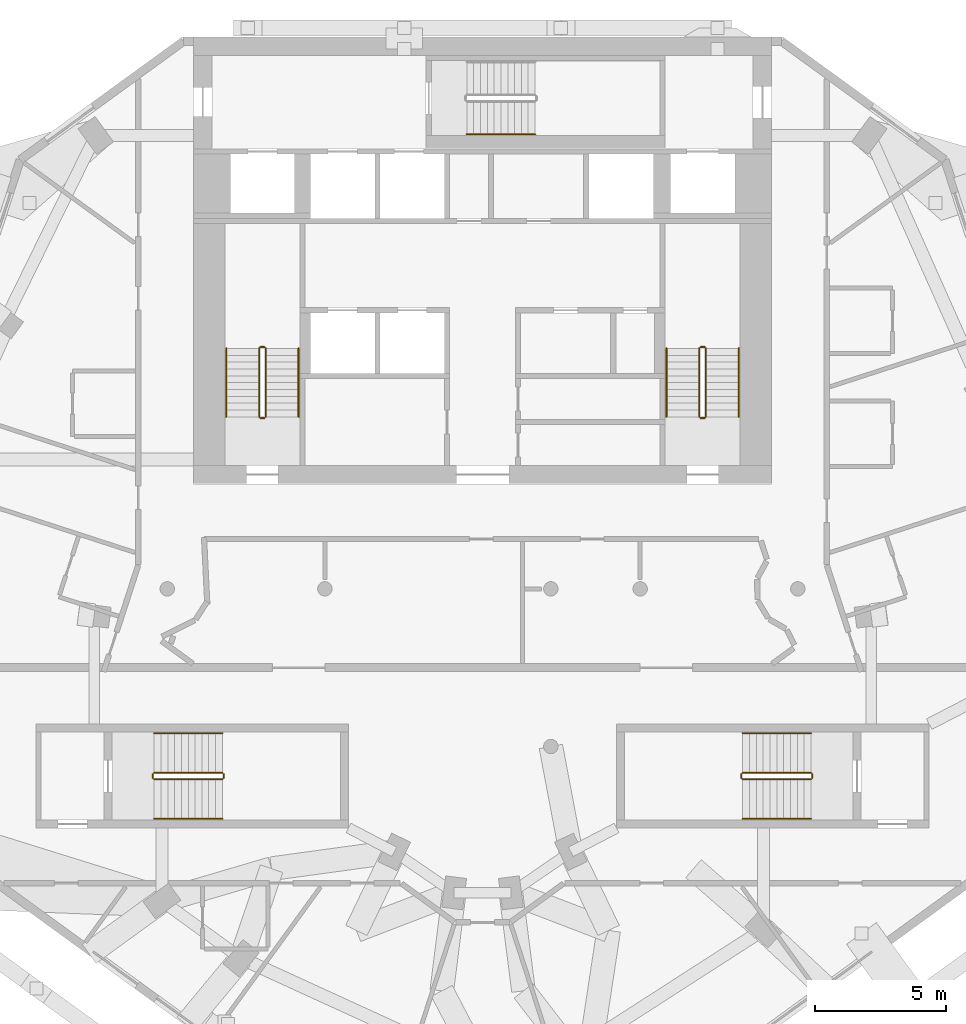
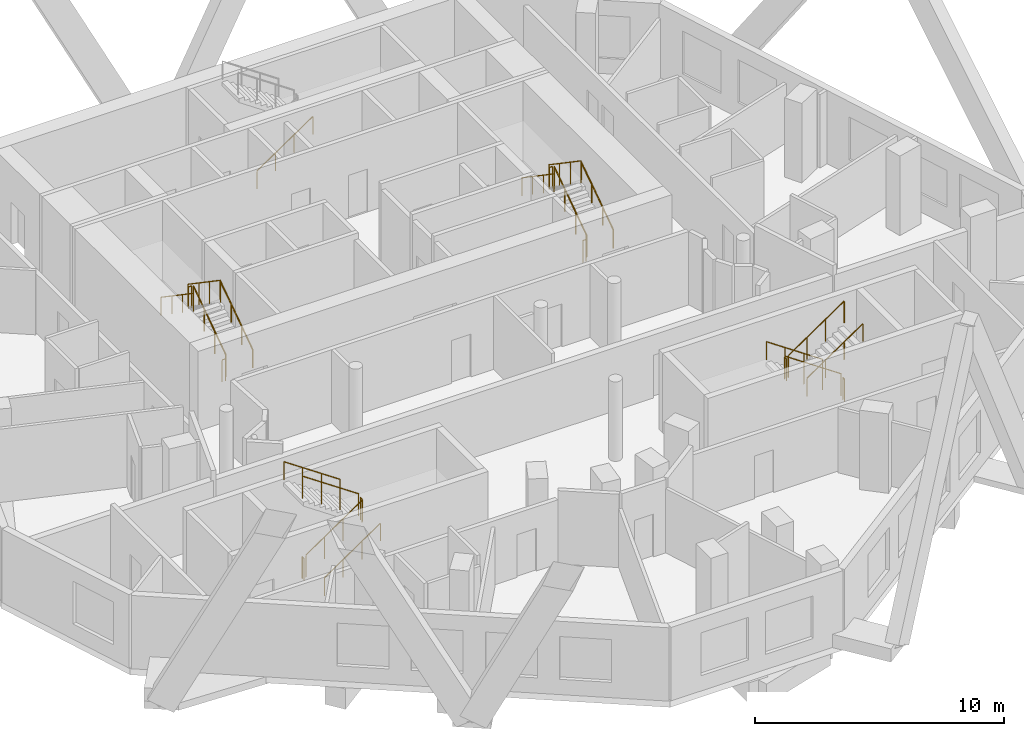
# One storey, part 9 of 10: 25 railings.
"""IFC4 building model written with IfcOpenShell, lengths in metres."""

import ifcopenshell
import ifcopenshell.guid

model = None  # the IFC model being written
_history = None  # IfcOwnerHistory: only IFC2X3 demands one
_inside = {}  # id of a spatial element -> (the spatial element, [elements in it])
_under = {}  # id of a project, library or spatial element -> (it, [spatial elements below it])
_declared = {}  # id of a project -> (the project, [libraries it declares])
_typed = {}  # id of a type object -> (the type object, [elements of that type])
_made_of = {}  # id of a material, layer set ... -> (it, [elements and type objects made of it])


def new_model(schema):
    """Start an empty IFC model of exactly this schema.

    Asked for "IFC4X3", IfcOpenShell would pick the latest addendum, in which some entities
    have other attributes; the version numbers below select the first issue.
    IFC2X3 requires an IfcOwnerHistory on every rooted entity: one is made here for all.
    """
    global model, _history
    if schema == "IFC4X3":
        model = ifcopenshell.file(schema_version=(4, 3, 0, 0))
    else:
        model = ifcopenshell.file(schema=schema)
    _inside.clear()
    _under.clear()
    _declared.clear()
    _typed.clear()
    _made_of.clear()
    _history = None
    if model.schema == "IFC2X3":
        org = make("IfcOrganization", Name="unknown")
        user = make(
            "IfcPersonAndOrganization",
            ThePerson=make("IfcPerson", FamilyName="unknown"),
            TheOrganization=org,
        )
        app = make(
            "IfcApplication",
            ApplicationDeveloper=org,
            Version="unknown",
            ApplicationFullName="unknown",
            ApplicationIdentifier="unknown",
        )
        _history = make(
            "IfcOwnerHistory",
            OwningUser=user,
            OwningApplication=app,
            ChangeAction="ADDED",
            CreationDate=0,
        )
    return model


def make(cls, **values):
    """One entity of the class cls with the attributes given. An attribute that is None is left unset."""
    return model.create_entity(
        cls, **{name: value for name, value in values.items() if value is not None}
    )


def rooted(cls, **values):
    """An entity with a GlobalId (a new one), such as an element, a storey or a relation."""
    return make(cls, GlobalId=ifcopenshell.guid.new(), OwnerHistory=_history, **values)


def si_unit(unit_type, name, prefix=None):
    """IfcSIUnit, for example si_unit("LENGTHUNIT", "METRE", prefix="MILLI")."""
    return make("IfcSIUnit", UnitType=unit_type, Prefix=prefix, Name=name)


def assignment(units):
    """IfcUnitAssignment: the units of a project."""
    return None if units is None else make("IfcUnitAssignment", Units=units)


def point(xyz):
    """IfcCartesianPoint."""
    return None if xyz is None else make("IfcCartesianPoint", Coordinates=xyz)


def direction(xyz):
    """IfcDirection."""
    return None if xyz is None else make("IfcDirection", DirectionRatios=xyz)


def frame(location, z_axis=None, x_axis=None):
    """IfcAxis2Placement3D, a coordinate frame: its origin and axes. An axis left out is left unset."""
    return make(
        "IfcAxis2Placement3D",
        Location=point(location),
        Axis=direction(z_axis),
        RefDirection=direction(x_axis),
    )


def frame_2d(location, x_axis=None):
    """IfcAxis2Placement2D, a coordinate frame in the plane: its origin and x axis."""
    return make(
        "IfcAxis2Placement2D", Location=point(location), RefDirection=direction(x_axis)
    )


def origin():
    """The frame at (0, 0, 0) with its axes left unset."""
    return frame((0.0, 0.0, 0.0))


def origin_2d():
    """The frame at (0, 0) in the plane with its x axis left unset."""
    return frame_2d((0.0, 0.0))


def place(relative_to, where):
    """IfcLocalPlacement: puts the frame where relative to a parent placement (None: the world)."""
    return make(
        "IfcLocalPlacement", PlacementRelTo=relative_to, RelativePlacement=where
    )


def context(
    kind, dimensions, precision=None, world=None, true_north=None, identifier=None
):
    """IfcGeometricRepresentationContext, for example the 3D "Model" context."""
    return make(
        "IfcGeometricRepresentationContext",
        ContextIdentifier=identifier,
        ContextType=kind,
        CoordinateSpaceDimension=dimensions,
        Precision=precision,
        WorldCoordinateSystem=world,
        TrueNorth=true_north,
    )


def subcontext(parent, identifier, kind, view, scale=None):
    """IfcGeometricRepresentationSubContext, for example "Body" below "Model"."""
    return make(
        "IfcGeometricRepresentationSubContext",
        ContextIdentifier=identifier,
        ContextType=kind,
        ParentContext=parent,
        TargetScale=scale,
        TargetView=view,
    )


def project(units=None, contexts=None):
    """IfcProject with its units and contexts."""
    return rooted(
        "IfcProject",
        Name="project",
        RepresentationContexts=contexts,
        UnitsInContext=assignment(units),
    )


def spatial(cls, under=None, at=None, **own):
    """A site, building, storey or space (cls), placed at a placement, below another one or the project."""
    s = rooted(cls, ObjectPlacement=at, **own)
    if under is not None:
        _under.setdefault(under.id(), (under, []))[1].append(s)
    return s


def profile(cls, at=None, kind="AREA", **sizes):
    """A parametric profile (cls). Its sizes go by their IFC names, for example OverallWidth=200.0."""
    return make(cls, ProfileType=kind, Position=at, **sizes)


def circle(**sizes):
    """IfcCircleProfileDef."""
    return profile("IfcCircleProfileDef", **sizes)


def extrude(swept, where, along, depth):
    """IfcExtrudedAreaSolid: the profile swept, set in the frame where, extruded along a direction by depth."""
    return make(
        "IfcExtrudedAreaSolid",
        SweptArea=swept,
        Position=where,
        ExtrudedDirection=direction(along),
        Depth=depth,
    )


def shape(context_of_items, identifier, shape_type, items):
    """IfcShapeRepresentation: the items that make up one representation, for example the "Body"."""
    return make(
        "IfcShapeRepresentation",
        ContextOfItems=context_of_items,
        RepresentationIdentifier=identifier,
        RepresentationType=shape_type,
        Items=items,
    )


def material(Name=None, Category=None):
    """IfcMaterial."""
    return make("IfcMaterial", Name=Name, Category=Category)


def made_of(thing, what):
    """Note that an element or type object is made of a material, layer set ...; save() writes the relation."""
    if what is not None:
        _made_of.setdefault(what.id(), (what, []))[1].append(thing)
    return thing


def type_object(cls, material=None, **own):
    """A type object (cls), such as IfcWallType, which elements share."""
    return made_of(rooted(cls, **own), material)


def element(
    cls,
    number,
    at=None,
    inside=None,
    cuts=None,
    type_object=None,
    material=None,
    context=None,
    identifier="Body",
    shape_type=None,
    held_by="IfcProductDefinitionShape",
    body=None,
    shapes=None,
    **own,
):
    """One element of the class cls, such as IfcWall. Its Tag is "e" and its number.

    at: its placement. inside: the storey or other place that contains it. cuts: it is an
    opening in that element (IfcRelVoidsElement). A single representation is given by context,
    identifier, shape_type and body (its items); several are given by shapes. held_by: the class
    of the entity that holds the representations. save() writes the other relations.
    """
    e = rooted(cls, Tag="e%d" % number, ObjectPlacement=at, **own)
    if body is not None:
        shapes = [shape(context, identifier, shape_type, body)]
    if shapes is not None:
        e.Representation = make(held_by, Representations=shapes)
    if inside is not None:
        _inside.setdefault(inside.id(), (inside, []))[1].append(e)
    if cuts is not None:
        rooted(
            "IfcRelVoidsElement", RelatingBuildingElement=cuts, RelatedOpeningElement=e
        )
    if type_object is not None:
        _typed.setdefault(type_object.id(), (type_object, []))[1].append(e)
    return made_of(e, material)


def aggregate(whole, parts):
    """IfcRelAggregates: a whole, such as a stair, and the parts it consists of."""
    return rooted("IfcRelAggregates", RelatingObject=whole, RelatedObjects=parts)


def save(model, path):
    """Write the relations noted so far, then the file.

    IfcRelAggregates (storeys below a building ...), IfcRelContainedInSpatialStructure (elements
    in a storey), IfcRelDefinesByType, IfcRelAssociatesMaterial and IfcRelDeclares: one each for
    every whole, place, type object, material and project.
    """
    for whole, parts in _under.values():
        aggregate(whole, parts)
    for where, things in _inside.values():
        rooted(
            "IfcRelContainedInSpatialStructure",
            RelatedElements=things,
            RelatingStructure=where,
        )
    for kind, things in _typed.values():
        rooted("IfcRelDefinesByType", RelatedObjects=things, RelatingType=kind)
    for what, things in _made_of.values():
        rooted("IfcRelAssociatesMaterial", RelatedObjects=things, RelatingMaterial=what)
    for by, libraries in _declared.values():
        rooted("IfcRelDeclares", RelatingContext=by, RelatedDefinitions=libraries)
    model.write(path)


model = new_model("IFC4")

# Units and contexts
model_context = context("Model", 3, precision=1e-05, world=origin(), true_north=direction((0.0, 1.0)))
body_context = subcontext(model_context, "Body", "Model", "MODEL_VIEW")
ifc_project = project(units=[si_unit("LENGTHUNIT", "METRE"), si_unit("AREAUNIT", "SQUARE_METRE"), si_unit("VOLUMEUNIT", "CUBIC_METRE"), si_unit("PLANEANGLEUNIT", "RADIAN"), si_unit("MASSUNIT", "GRAM", prefix="KILO")], contexts=[model_context])

# Site, building, storey
site_placement = place(None, origin())
site = spatial("IfcSite", under=ifc_project, at=site_placement, CompositionType="ELEMENT")
building_placement = place(site_placement, origin())
building = spatial("IfcBuilding", under=site, at=building_placement, Name="White Candle Pilgrim Tower", CompositionType="ELEMENT")
storey_placement = place(building_placement, frame((0.0, 0.0, 248.300048828125)))
storey = spatial("IfcBuildingStorey", under=building, at=storey_placement, Name="L58", CompositionType="ELEMENT", Elevation=248.300048828125)

# Railings
ifc_material = material(Name="Stainless steel", Category="steel")
railing_type_1 = type_object("IfcRailingType", Name="Stair guard stainless steel 1100 mm", PredefinedType="GUARDRAIL", material=ifc_material)
railing_1_placement = place(storey_placement, frame((61.75, 73.550048828125, 0.17724609375)))
element("IfcRailing", 1, at=railing_1_placement, inside=storey, type_object=railing_type_1, Name="L58 ST1 stair guard 1", PredefinedType="GUARDRAIL", context=body_context, shape_type="SweptSolid", body=[
    extrude(circle(Radius=0.02392578125, at=origin_2d()), frame((0.0, 0.0, 1.076171875), z_axis=(0.0, 0.826215852431, 0.563353676824), x_axis=(-1.0, 0.0, 0.0)), (0.0, 0.0, 1.0), 3.146728515625),
    extrude(circle(Radius=0.02099609375, at=origin_2d()), origin(), (0.0, 0.0, 1.0), 1.052001953125),
    extrude(circle(Radius=0.02099609375, at=origin_2d()), frame((0.0, 0.86669921875, 0.5908203125)), (0.0, 0.0, 1.0), 1.052001953125),
    extrude(circle(Radius=0.02099609375, at=origin_2d()), frame((0.0, 1.733154296875, 1.181884765625)), (0.0, 0.0, 1.0), 1.052001953125),
    extrude(circle(Radius=0.02099609375, at=origin_2d()), frame((0.0, 2.599853515625, 1.772705078125)), (0.0, 0.0, 1.0), 1.052001953125),
])
railing_2_placement = place(storey_placement, frame((61.699951171875, 76.199951171875, 1.949951171875)))
element("IfcRailing", 2, at=railing_2_placement, inside=storey, type_object=railing_type_1, Name="L58 ST1 stair guard 2", PredefinedType="GUARDRAIL", context=body_context, shape_type="SweptSolid", body=[
    extrude(circle(Radius=0.02392578125, at=origin_2d()), frame((0.0, 0.0, 1.076171875), z_axis=(-1.0, 0.0, 0.0), x_axis=(0.0, -1.0, 0.0)), (0.0, 0.0, 1.0), 0.14990234375),
    extrude(circle(Radius=0.02099609375, at=origin_2d()), origin(), (0.0, 0.0, 1.0), 1.052001953125),
    extrude(circle(Radius=0.02099609375, at=origin_2d()), frame((-0.14990234375, 0.0, 0.0)), (0.0, 0.0, 1.0), 1.052001953125),
])
railing_3_placement = place(storey_placement, frame((61.5, 76.14990234375, 2.127197265625)))
element("IfcRailing", 3, at=railing_3_placement, inside=storey, type_object=railing_type_1, Name="L58 ST1 stair guard 3", PredefinedType="GUARDRAIL", context=body_context, shape_type="SweptSolid", body=[
    extrude(circle(Radius=0.02392578125, at=origin_2d()), frame((0.0, 0.0, 1.076171875), z_axis=(0.0, -0.826215852431, 0.563353676824), x_axis=(1.0, 0.0, 0.0)), (0.0, 0.0, 1.0), 3.146728515625),
    extrude(circle(Radius=0.02099609375, at=origin_2d()), origin(), (0.0, 0.0, 1.0), 1.052001953125),
    extrude(circle(Radius=0.02099609375, at=origin_2d()), frame((0.0, -0.86669921875, 0.5908203125)), (0.0, 0.0, 1.0), 1.052001953125),
    extrude(circle(Radius=0.02099609375, at=origin_2d()), frame((0.0, -1.733154296875, 1.181884765625)), (0.0, 0.0, 1.0), 1.052001953125),
    extrude(circle(Radius=0.02099609375, at=origin_2d()), frame((0.0, -2.599853515625, 1.772705078125)), (0.0, 0.0, 1.0), 1.052001953125),
])
railing_4_placement = place(storey_placement, frame((61.699951171875, 73.5, 0.0)))
element("IfcRailing", 4, at=railing_4_placement, inside=storey, type_object=railing_type_1, Name="L58 ST1 stair guard 4", PredefinedType="GUARDRAIL", context=body_context, shape_type="SweptSolid", body=[
    extrude(circle(Radius=0.02392578125, at=origin_2d()), frame((0.0, 0.0, 1.076171875), z_axis=(-1.0, 0.0, 0.0), x_axis=(0.0, -1.0, 0.0)), (0.0, 0.0, 1.0), 0.14990234375),
    extrude(circle(Radius=0.02099609375, at=origin_2d()), origin(), (0.0, 0.0, 1.0), 1.052001953125),
    extrude(circle(Radius=0.02099609375, at=origin_2d()), frame((-0.14990234375, 0.0, 0.0)), (0.0, 0.0, 1.0), 1.052001953125),
])
railing_5_placement = place(storey_placement, frame((78.5, 73.550048828125, 0.17724609375)))
element("IfcRailing", 5, at=railing_5_placement, inside=storey, type_object=railing_type_1, Name="L58 ST2 stair guard 1", PredefinedType="GUARDRAIL", context=body_context, shape_type="SweptSolid", body=[
    extrude(circle(Radius=0.02392578125, at=origin_2d()), frame((0.0, 0.0, 1.076171875), z_axis=(0.0, 0.826215852431, 0.563353676824), x_axis=(-1.0, 0.0, 0.0)), (0.0, 0.0, 1.0), 3.146728515625),
    extrude(circle(Radius=0.02099609375, at=origin_2d()), origin(), (0.0, 0.0, 1.0), 1.052001953125),
    extrude(circle(Radius=0.02099609375, at=origin_2d()), frame((0.0, 0.86669921875, 0.5908203125)), (0.0, 0.0, 1.0), 1.052001953125),
    extrude(circle(Radius=0.02099609375, at=origin_2d()), frame((0.0, 1.733154296875, 1.181884765625)), (0.0, 0.0, 1.0), 1.052001953125),
    extrude(circle(Radius=0.02099609375, at=origin_2d()), frame((0.0, 2.599853515625, 1.772705078125)), (0.0, 0.0, 1.0), 1.052001953125),
])
railing_6_placement = place(storey_placement, frame((78.449951171875, 76.199951171875, 1.949951171875)))
element("IfcRailing", 6, at=railing_6_placement, inside=storey, type_object=railing_type_1, Name="L58 ST2 stair guard 2", PredefinedType="GUARDRAIL", context=body_context, shape_type="SweptSolid", body=[
    extrude(circle(Radius=0.02392578125, at=origin_2d()), frame((0.0, 0.0, 1.076171875), z_axis=(-1.0, 0.0, 0.0), x_axis=(0.0, -1.0, 0.0)), (0.0, 0.0, 1.0), 0.14990234375),
    extrude(circle(Radius=0.02099609375, at=origin_2d()), origin(), (0.0, 0.0, 1.0), 1.052001953125),
    extrude(circle(Radius=0.02099609375, at=origin_2d()), frame((-0.14990234375, 0.0, 0.0)), (0.0, 0.0, 1.0), 1.052001953125),
])
railing_7_placement = place(storey_placement, frame((78.25, 76.14990234375, 2.127197265625)))
element("IfcRailing", 7, at=railing_7_placement, inside=storey, type_object=railing_type_1, Name="L58 ST2 stair guard 3", PredefinedType="GUARDRAIL", context=body_context, shape_type="SweptSolid", body=[
    extrude(circle(Radius=0.02392578125, at=origin_2d()), frame((0.0, 0.0, 1.076171875), z_axis=(0.0, -0.826215852431, 0.563353676824), x_axis=(1.0, 0.0, 0.0)), (0.0, 0.0, 1.0), 3.146728515625),
    extrude(circle(Radius=0.02099609375, at=origin_2d()), origin(), (0.0, 0.0, 1.0), 1.052001953125),
    extrude(circle(Radius=0.02099609375, at=origin_2d()), frame((0.0, -0.86669921875, 0.5908203125)), (0.0, 0.0, 1.0), 1.052001953125),
    extrude(circle(Radius=0.02099609375, at=origin_2d()), frame((0.0, -1.733154296875, 1.181884765625)), (0.0, 0.0, 1.0), 1.052001953125),
    extrude(circle(Radius=0.02099609375, at=origin_2d()), frame((0.0, -2.599853515625, 1.772705078125)), (0.0, 0.0, 1.0), 1.052001953125),
])
railing_8_placement = place(storey_placement, frame((78.449951171875, 73.5, 0.0)))
element("IfcRailing", 8, at=railing_8_placement, inside=storey, type_object=railing_type_1, Name="L58 ST2 stair guard 4", PredefinedType="GUARDRAIL", context=body_context, shape_type="SweptSolid", body=[
    extrude(circle(Radius=0.02392578125, at=origin_2d()), frame((0.0, 0.0, 1.076171875), z_axis=(-1.0, 0.0, 0.0), x_axis=(0.0, -1.0, 0.0)), (0.0, 0.0, 1.0), 0.14990234375),
    extrude(circle(Radius=0.02099609375, at=origin_2d()), origin(), (0.0, 0.0, 1.0), 1.052001953125),
    extrude(circle(Radius=0.02099609375, at=origin_2d()), frame((-0.14990234375, 0.0, 0.0)), (0.0, 0.0, 1.0), 1.052001953125),
])
railing_9_placement = place(storey_placement, frame((82.5, 60.0, 0.17724609375)))
element("IfcRailing", 9, at=railing_9_placement, inside=storey, type_object=railing_type_1, Name="L58 ST4 stair guard 1", PredefinedType="GUARDRAIL", context=body_context, shape_type="SweptSolid", body=[
    extrude(circle(Radius=0.02392578125, at=origin_2d()), frame((0.0, 0.0, 1.076171875), z_axis=(-0.826240473404, 0.0, 0.563317565952), x_axis=(0.0, -1.0, 0.0)), (0.0, 0.0, 1.0), 3.14697265625),
    extrude(circle(Radius=0.02099609375, at=origin_2d()), origin(), (0.0, 0.0, 1.0), 1.052001953125),
    extrude(circle(Radius=0.02099609375, at=origin_2d()), frame((-0.86669921875, 0.0, 0.5908203125)), (0.0, 0.0, 1.0), 1.052001953125),
    extrude(circle(Radius=0.02099609375, at=origin_2d()), frame((-1.7333984375, 0.0, 1.181884765625)), (0.0, 0.0, 1.0), 1.052001953125),
    extrude(circle(Radius=0.02099609375, at=origin_2d()), frame((-2.60009765625, 0.0, 1.772705078125)), (0.0, 0.0, 1.0), 1.052001953125),
])
railing_10_placement = place(storey_placement, frame((79.85009765625, 59.949951171875, 1.949951171875)))
element("IfcRailing", 10, at=railing_10_placement, inside=storey, type_object=railing_type_1, Name="L58 ST4 stair guard 2", PredefinedType="GUARDRAIL", context=body_context, shape_type="SweptSolid", body=[
    extrude(circle(Radius=0.02392578125, at=origin_2d()), frame((0.0, 0.0, 1.076171875), z_axis=(0.0, -1.0, 0.0), x_axis=(1.0, 0.0, 0.0)), (0.0, 0.0, 1.0), 0.14990234375),
    extrude(circle(Radius=0.02099609375, at=origin_2d()), origin(), (0.0, 0.0, 1.0), 1.052001953125),
    extrude(circle(Radius=0.02099609375, at=origin_2d()), frame((0.0, -0.14990234375, 0.0)), (0.0, 0.0, 1.0), 1.052001953125),
])
railing_11_placement = place(storey_placement, frame((79.89990234375, 59.75, 2.127197265625)))
element("IfcRailing", 11, at=railing_11_placement, inside=storey, type_object=railing_type_1, Name="L58 ST4 stair guard 3", PredefinedType="GUARDRAIL", context=body_context, shape_type="SweptSolid", body=[
    extrude(circle(Radius=0.02392578125, at=origin_2d()), frame((0.0, 0.0, 1.076171875), z_axis=(0.826240473404, 0.0, 0.563317565952), x_axis=(0.0, 1.0, 0.0)), (0.0, 0.0, 1.0), 3.14697265625),
    extrude(circle(Radius=0.02099609375, at=origin_2d()), origin(), (0.0, 0.0, 1.0), 1.052001953125),
    extrude(circle(Radius=0.02099609375, at=origin_2d()), frame((0.86669921875, 0.0, 0.5908203125)), (0.0, 0.0, 1.0), 1.052001953125),
    extrude(circle(Radius=0.02099609375, at=origin_2d()), frame((1.7333984375, 0.0, 1.181884765625)), (0.0, 0.0, 1.0), 1.052001953125),
    extrude(circle(Radius=0.02099609375, at=origin_2d()), frame((2.60009765625, 0.0, 1.772705078125)), (0.0, 0.0, 1.0), 1.052001953125),
])
railing_12_placement = place(storey_placement, frame((82.550048828125, 59.949951171875, 0.0)))
element("IfcRailing", 12, at=railing_12_placement, inside=storey, type_object=railing_type_1, Name="L58 ST4 stair guard 4", PredefinedType="GUARDRAIL", context=body_context, shape_type="SweptSolid", body=[
    extrude(circle(Radius=0.02392578125, at=origin_2d()), frame((0.0, 0.0, 1.076171875), z_axis=(0.0, -1.0, 0.0), x_axis=(1.0, 0.0, 0.0)), (0.0, 0.0, 1.0), 0.14990234375),
    extrude(circle(Radius=0.02099609375, at=origin_2d()), origin(), (0.0, 0.0, 1.0), 1.052001953125),
    extrude(circle(Radius=0.02099609375, at=origin_2d()), frame((0.0, -0.14990234375, 0.0)), (0.0, 0.0, 1.0), 1.052001953125),
])
railing_13_placement = place(storey_placement, frame((57.5, 59.75, 0.17724609375)))
element("IfcRailing", 13, at=railing_13_placement, inside=storey, type_object=railing_type_1, Name="L58 ST5 stair guard 1", PredefinedType="GUARDRAIL", context=body_context, shape_type="SweptSolid", body=[
    extrude(circle(Radius=0.02392578125, at=origin_2d()), frame((0.0, 0.0, 1.076171875), z_axis=(0.826240473404, 0.0, 0.563317565952), x_axis=(0.0, 1.0, 0.0)), (0.0, 0.0, 1.0), 3.14697265625),
    extrude(circle(Radius=0.02099609375, at=origin_2d()), origin(), (0.0, 0.0, 1.0), 1.052001953125),
    extrude(circle(Radius=0.02099609375, at=origin_2d()), frame((0.86669921875, 0.0, 0.5908203125)), (0.0, 0.0, 1.0), 1.052001953125),
    extrude(circle(Radius=0.02099609375, at=origin_2d()), frame((1.7333984375, 0.0, 1.181884765625)), (0.0, 0.0, 1.0), 1.052001953125),
    extrude(circle(Radius=0.02099609375, at=origin_2d()), frame((2.60009765625, 0.0, 1.772705078125)), (0.0, 0.0, 1.0), 1.052001953125),
])
railing_14_placement = place(storey_placement, frame((60.14990234375, 59.800048828125, 1.949951171875)))
element("IfcRailing", 14, at=railing_14_placement, inside=storey, type_object=railing_type_1, Name="L58 ST5 stair guard 2", PredefinedType="GUARDRAIL", context=body_context, shape_type="SweptSolid", body=[
    extrude(circle(Radius=0.02392578125, at=origin_2d()), frame((0.0, 0.0, 1.076171875), z_axis=(0.0, 1.0, 0.0), x_axis=(-1.0, 0.0, 0.0)), (0.0, 0.0, 1.0), 0.14990234375),
    extrude(circle(Radius=0.02099609375, at=origin_2d()), origin(), (0.0, 0.0, 1.0), 1.052001953125),
    extrude(circle(Radius=0.02099609375, at=origin_2d()), frame((0.0, 0.14990234375, 0.0)), (0.0, 0.0, 1.0), 1.052001953125),
])
railing_15_placement = place(storey_placement, frame((60.10009765625, 60.0, 2.127197265625)))
element("IfcRailing", 15, at=railing_15_placement, inside=storey, type_object=railing_type_1, Name="L58 ST5 stair guard 3", PredefinedType="GUARDRAIL", context=body_context, shape_type="SweptSolid", body=[
    extrude(circle(Radius=0.02392578125, at=origin_2d()), frame((0.0, 0.0, 1.076171875), z_axis=(-0.826240473404, 0.0, 0.563317565952), x_axis=(0.0, -1.0, 0.0)), (0.0, 0.0, 1.0), 3.14697265625),
    extrude(circle(Radius=0.02099609375, at=origin_2d()), origin(), (0.0, 0.0, 1.0), 1.052001953125),
    extrude(circle(Radius=0.02099609375, at=origin_2d()), frame((-0.86669921875, 0.0, 0.5908203125)), (0.0, 0.0, 1.0), 1.052001953125),
    extrude(circle(Radius=0.02099609375, at=origin_2d()), frame((-1.7333984375, 0.0, 1.181884765625)), (0.0, 0.0, 1.0), 1.052001953125),
    extrude(circle(Radius=0.02099609375, at=origin_2d()), frame((-2.60009765625, 0.0, 1.772705078125)), (0.0, 0.0, 1.0), 1.052001953125),
])
railing_16_placement = place(storey_placement, frame((57.449951171875, 59.800048828125, 0.0)))
element("IfcRailing", 16, at=railing_16_placement, inside=storey, type_object=railing_type_1, Name="L58 ST5 stair guard 4", PredefinedType="GUARDRAIL", context=body_context, shape_type="SweptSolid", body=[
    extrude(circle(Radius=0.02392578125, at=origin_2d()), frame((0.0, 0.0, 1.076171875), z_axis=(0.0, 1.0, 0.0), x_axis=(-1.0, 0.0, 0.0)), (0.0, 0.0, 1.0), 0.14990234375),
    extrude(circle(Radius=0.02099609375, at=origin_2d()), origin(), (0.0, 0.0, 1.0), 1.052001953125),
    extrude(circle(Radius=0.02099609375, at=origin_2d()), frame((0.0, 0.14990234375, 0.0)), (0.0, 0.0, 1.0), 1.052001953125),
])
railing_type_2 = type_object("IfcRailingType", Name="Stair handrail stainless steel", PredefinedType="HANDRAIL", material=ifc_material)
railing_17_placement = place(storey_placement, frame((63.0, 73.550048828125, 0.17724609375)))
element("IfcRailing", 17, at=railing_17_placement, inside=storey, type_object=railing_type_2, Name="L58 ST1 stair handrail 1", PredefinedType="HANDRAIL", context=body_context, shape_type="SweptSolid", body=[
    extrude(circle(Radius=0.02392578125, at=origin_2d()), frame((0.0, 0.0, 0.8759765625), z_axis=(0.0, 0.826215852431, 0.563353676824), x_axis=(-1.0, 0.0, 0.0)), (0.0, 0.0, 1.0), 3.146728515625),
    extrude(circle(Radius=0.02099609375, at=origin_2d()), origin(), (0.0, 0.0, 1.0), 0.851806640625),
    extrude(circle(Radius=0.02099609375, at=origin_2d()), frame((0.0, 0.86669921875, 0.5908203125)), (0.0, 0.0, 1.0), 0.851806640625),
    extrude(circle(Radius=0.02099609375, at=origin_2d()), frame((0.0, 1.733154296875, 1.181884765625)), (0.0, 0.0, 1.0), 0.851806640625),
    extrude(circle(Radius=0.02099609375, at=origin_2d()), frame((0.0, 2.599853515625, 1.772705078125)), (0.0, 0.0, 1.0), 0.851806640625),
])
railing_18_placement = place(storey_placement, frame((60.25, 76.14990234375, 2.127197265625)))
element("IfcRailing", 18, at=railing_18_placement, inside=storey, type_object=railing_type_2, Name="L58 ST1 stair handrail 2", PredefinedType="HANDRAIL", context=body_context, shape_type="SweptSolid", body=[
    extrude(circle(Radius=0.02392578125, at=origin_2d()), frame((0.0, 0.0, 0.8759765625), z_axis=(0.0, -0.826215852431, 0.563353676824), x_axis=(1.0, 0.0, 0.0)), (0.0, 0.0, 1.0), 3.146728515625),
    extrude(circle(Radius=0.02099609375, at=origin_2d()), origin(), (0.0, 0.0, 1.0), 0.851806640625),
    extrude(circle(Radius=0.02099609375, at=origin_2d()), frame((0.0, -0.86669921875, 0.5908203125)), (0.0, 0.0, 1.0), 0.851806640625),
    extrude(circle(Radius=0.02099609375, at=origin_2d()), frame((0.0, -1.733154296875, 1.181884765625)), (0.0, 0.0, 1.0), 0.851806640625),
    extrude(circle(Radius=0.02099609375, at=origin_2d()), frame((0.0, -2.599853515625, 1.772705078125)), (0.0, 0.0, 1.0), 0.851806640625),
])
railing_19_placement = place(storey_placement, frame((79.75, 73.550048828125, 0.17724609375)))
element("IfcRailing", 19, at=railing_19_placement, inside=storey, type_object=railing_type_2, Name="L58 ST2 stair handrail 1", PredefinedType="HANDRAIL", context=body_context, shape_type="SweptSolid", body=[
    extrude(circle(Radius=0.02392578125, at=origin_2d()), frame((0.0, 0.0, 0.8759765625), z_axis=(0.0, 0.826215852431, 0.563353676824), x_axis=(-1.0, 0.0, 0.0)), (0.0, 0.0, 1.0), 3.146728515625),
    extrude(circle(Radius=0.02099609375, at=origin_2d()), origin(), (0.0, 0.0, 1.0), 0.851806640625),
    extrude(circle(Radius=0.02099609375, at=origin_2d()), frame((0.0, 0.86669921875, 0.5908203125)), (0.0, 0.0, 1.0), 0.851806640625),
    extrude(circle(Radius=0.02099609375, at=origin_2d()), frame((0.0, 1.733154296875, 1.181884765625)), (0.0, 0.0, 1.0), 0.851806640625),
    extrude(circle(Radius=0.02099609375, at=origin_2d()), frame((0.0, 2.599853515625, 1.772705078125)), (0.0, 0.0, 1.0), 0.851806640625),
])
railing_20_placement = place(storey_placement, frame((77.0, 76.14990234375, 2.127197265625)))
element("IfcRailing", 20, at=railing_20_placement, inside=storey, type_object=railing_type_2, Name="L58 ST2 stair handrail 2", PredefinedType="HANDRAIL", context=body_context, shape_type="SweptSolid", body=[
    extrude(circle(Radius=0.02392578125, at=origin_2d()), frame((0.0, 0.0, 0.8759765625), z_axis=(0.0, -0.826215852431, 0.563353676824), x_axis=(1.0, 0.0, 0.0)), (0.0, 0.0, 1.0), 3.146728515625),
    extrude(circle(Radius=0.02099609375, at=origin_2d()), origin(), (0.0, 0.0, 1.0), 0.851806640625),
    extrude(circle(Radius=0.02099609375, at=origin_2d()), frame((0.0, -0.86669921875, 0.5908203125)), (0.0, 0.0, 1.0), 0.851806640625),
    extrude(circle(Radius=0.02099609375, at=origin_2d()), frame((0.0, -1.733154296875, 1.181884765625)), (0.0, 0.0, 1.0), 0.851806640625),
    extrude(circle(Radius=0.02099609375, at=origin_2d()), frame((0.0, -2.599853515625, 1.772705078125)), (0.0, 0.0, 1.0), 0.851806640625),
])
railing_21_placement = place(storey_placement, frame((69.39990234375, 84.300048828125, 0.17724609375)))
element("IfcRailing", 21, at=railing_21_placement, inside=storey, type_object=railing_type_2, Name="L58 ST3 stair handrail 1", PredefinedType="HANDRAIL", context=body_context, shape_type="SweptSolid", body=[
    extrude(circle(Radius=0.02392578125, at=origin_2d()), frame((0.0, 0.0, 0.8759765625), z_axis=(0.826240473404, 0.0, 0.563317565952), x_axis=(0.0, 1.0, 0.0)), (0.0, 0.0, 1.0), 3.14697265625),
    extrude(circle(Radius=0.02099609375, at=origin_2d()), origin(), (0.0, 0.0, 1.0), 0.851806640625),
    extrude(circle(Radius=0.02099609375, at=origin_2d()), frame((0.86669921875, 0.0, 0.5908203125)), (0.0, 0.0, 1.0), 0.851806640625),
    extrude(circle(Radius=0.02099609375, at=origin_2d()), frame((1.7333984375, 0.0, 1.181884765625)), (0.0, 0.0, 1.0), 0.851806640625),
    extrude(circle(Radius=0.02099609375, at=origin_2d()), frame((2.60009765625, 0.0, 1.772705078125)), (0.0, 0.0, 1.0), 0.851806640625),
])
railing_22_placement = place(storey_placement, frame((82.5, 61.5, 0.17724609375)))
element("IfcRailing", 22, at=railing_22_placement, inside=storey, type_object=railing_type_2, Name="L58 ST4 stair handrail 1", PredefinedType="HANDRAIL", context=body_context, shape_type="SweptSolid", body=[
    extrude(circle(Radius=0.02392578125, at=origin_2d()), frame((0.0, 0.0, 0.8759765625), z_axis=(-0.826240473404, 0.0, 0.563317565952), x_axis=(0.0, -1.0, 0.0)), (0.0, 0.0, 1.0), 3.14697265625),
    extrude(circle(Radius=0.02099609375, at=origin_2d()), origin(), (0.0, 0.0, 1.0), 0.851806640625),
    extrude(circle(Radius=0.02099609375, at=origin_2d()), frame((-0.86669921875, 0.0, 0.5908203125)), (0.0, 0.0, 1.0), 0.851806640625),
    extrude(circle(Radius=0.02099609375, at=origin_2d()), frame((-1.7333984375, 0.0, 1.181884765625)), (0.0, 0.0, 1.0), 0.851806640625),
    extrude(circle(Radius=0.02099609375, at=origin_2d()), frame((-2.60009765625, 0.0, 1.772705078125)), (0.0, 0.0, 1.0), 0.851806640625),
])
for number, where, name in (
    (23, (79.89990234375, 58.25, 2.127197265625), "L58 ST4 stair handrail 2"),
    (24, (57.5, 58.25, 0.17724609375), "L58 ST5 stair handrail 1"),
):
    element("IfcRailing", number, at=place(storey_placement, frame(where)), inside=storey, type_object=railing_type_2, Name=name, PredefinedType="HANDRAIL", context=body_context, shape_type="SweptSolid", body=[
        extrude(circle(Radius=0.02392578125, at=origin_2d()), frame((0.0, 0.0, 0.8759765625), z_axis=(0.826240473404, 0.0, 0.563317565952), x_axis=(0.0, 1.0, 0.0)), (0.0, 0.0, 1.0), 3.14697265625),
        extrude(circle(Radius=0.02099609375, at=origin_2d()), origin(), (0.0, 0.0, 1.0), 0.851806640625),
        extrude(circle(Radius=0.02099609375, at=origin_2d()), frame((0.86669921875, 0.0, 0.5908203125)), (0.0, 0.0, 1.0), 0.851806640625),
        extrude(circle(Radius=0.02099609375, at=origin_2d()), frame((1.7333984375, 0.0, 1.181884765625)), (0.0, 0.0, 1.0), 0.851806640625),
        extrude(circle(Radius=0.02099609375, at=origin_2d()), frame((2.60009765625, 0.0, 1.772705078125)), (0.0, 0.0, 1.0), 0.851806640625),
    ])
railing_23_placement = place(storey_placement, frame((60.10009765625, 61.5, 2.127197265625)))
element("IfcRailing", 25, at=railing_23_placement, inside=storey, type_object=railing_type_2, Name="L58 ST5 stair handrail 2", PredefinedType="HANDRAIL", context=body_context, shape_type="SweptSolid", body=[
    extrude(circle(Radius=0.02392578125, at=origin_2d()), frame((0.0, 0.0, 0.8759765625), z_axis=(-0.826240473404, 0.0, 0.563317565952), x_axis=(0.0, -1.0, 0.0)), (0.0, 0.0, 1.0), 3.14697265625),
    extrude(circle(Radius=0.02099609375, at=origin_2d()), origin(), (0.0, 0.0, 1.0), 0.851806640625),
    extrude(circle(Radius=0.02099609375, at=origin_2d()), frame((-0.86669921875, 0.0, 0.5908203125)), (0.0, 0.0, 1.0), 0.851806640625),
    extrude(circle(Radius=0.02099609375, at=origin_2d()), frame((-1.7333984375, 0.0, 1.181884765625)), (0.0, 0.0, 1.0), 0.851806640625),
    extrude(circle(Radius=0.02099609375, at=origin_2d()), frame((-2.60009765625, 0.0, 1.772705078125)), (0.0, 0.0, 1.0), 0.851806640625),
])

save(model, "model.ifc")
